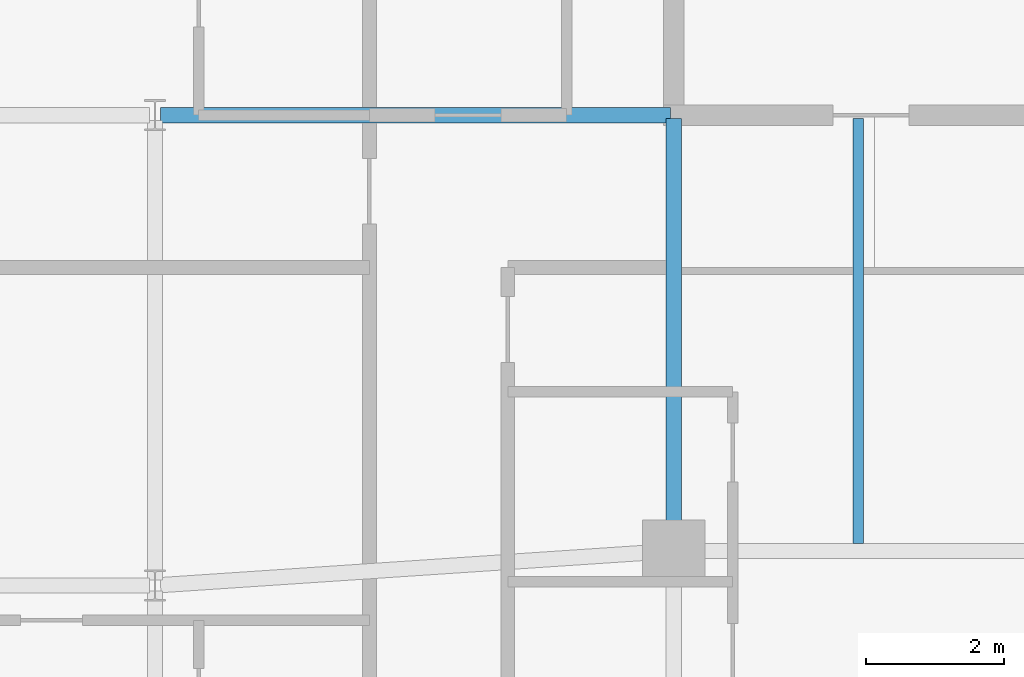
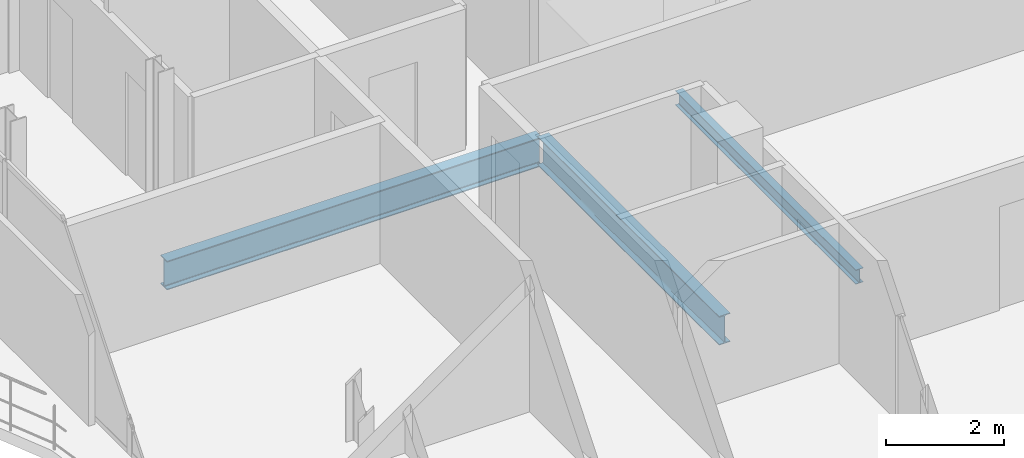
# One storey, part 11 of 22: 3 beams.
"""IFC4 building model written with IfcOpenShell, lengths in metres."""

from ifc_helpers import new_model, si_unit, direction, frame, origin, origin_2d, place, context, subcontext, project, spatial, i_section, extrude, material, material_profile, profile_set, type_object, element, save


model = new_model("IFC4")

# Units and contexts
model_context = context("Model", 3, precision=1e-05, world=origin(), true_north=direction((0.0, 1.0)))
body_context = subcontext(model_context, "Body", "Model", "MODEL_VIEW")
ifc_project = project(units=[si_unit("LENGTHUNIT", "METRE"), si_unit("AREAUNIT", "SQUARE_METRE"), si_unit("VOLUMEUNIT", "CUBIC_METRE"), si_unit("PLANEANGLEUNIT", "RADIAN"), si_unit("MASSUNIT", "GRAM", prefix="KILO")], contexts=[model_context])

# Site, building, storey
site_placement = place(None, origin())
site = spatial("IfcSite", under=ifc_project, at=site_placement, CompositionType="ELEMENT")
building_placement = place(site_placement, origin())
building = spatial("IfcBuilding", under=site, at=building_placement, Name="Catumbela Crestline Tower", CompositionType="ELEMENT")
storey_placement = place(building_placement, frame((0.0, 0.0, 222.2)))
storey = spatial("IfcBuildingStorey", under=building, at=storey_placement, Name="L57", CompositionType="ELEMENT", Elevation=222.2)

# Beams
ifc_material = material(Name="Structural steel S355J2", Category="steel")
ifc_material_profile_1 = material_profile(ifc_material, i_section(OverallWidth=0.22, OverallDepth=0.6, WebThickness=0.012, FlangeThickness=0.019, FilletRadius=0.024, at=origin_2d()), Name="IPE 600")
ifc_profile_set_1 = profile_set([ifc_material_profile_1], Name="Structural steel S355J2")
beam_type_1 = type_object("IfcBeamType", Name="BG-IPE600", PredefinedType="BEAM", material=ifc_profile_set_1)
beam_1_placement = place(storey_placement, frame((8.58, 30.8, -0.56), z_axis=(1.0, 0.0, 0.0), x_axis=(0.0, 1.0, 0.0)))
element("IfcBeam", 1, at=beam_1_placement, inside=storey, type_object=beam_type_1, Name="L57 Beam BM-L57-M07", PredefinedType="BEAM", context=body_context, shape_type="SweptSolid", body=[
    extrude(i_section(OverallWidth=0.22, OverallDepth=0.6, WebThickness=0.012, FlangeThickness=0.019, FilletRadius=0.024, at=origin_2d()), origin(), (0.0, 0.0, 1.0), 7.37),
])
beam_2_placement = place(storey_placement, frame((16.0, 24.58, -0.56), z_axis=(0.0, 1.0, 0.0), x_axis=(-1.0, 0.0, 0.0)))
element("IfcBeam", 2, at=beam_2_placement, inside=storey, type_object=beam_type_1, Name="L57 Beam BM-L57-SNS15", PredefinedType="BEAM", context=body_context, shape_type="SweptSolid", body=[
    extrude(i_section(OverallWidth=0.22, OverallDepth=0.6, WebThickness=0.012, FlangeThickness=0.019, FilletRadius=0.024, at=origin_2d()), origin(), (0.0, 0.0, 1.0), 6.17),
])
ifc_material_profile_2 = material_profile(ifc_material, i_section(OverallWidth=0.15, OverallDepth=0.3, WebThickness=0.0071, FlangeThickness=0.0107, FilletRadius=0.015, at=origin_2d()), Name="IPE 300")
ifc_profile_set_2 = profile_set([ifc_material_profile_2], Name="Structural steel S355J2")
beam_type_2 = type_object("IfcBeamType", Name="BJ-IPE300", PredefinedType="JOIST", material=ifc_profile_set_2)
beam_3_placement = place(storey_placement, frame((18.667, 24.61, -0.41), z_axis=(0.0, 1.0, 0.0), x_axis=(-1.0, 0.0, 0.0)))
element("IfcBeam", 3, at=beam_3_placement, inside=storey, type_object=beam_type_2, Name="L57 Joist JS-L57-SP21", PredefinedType="JOIST", context=body_context, shape_type="SweptSolid", body=[
    extrude(i_section(OverallWidth=0.15, OverallDepth=0.3, WebThickness=0.0071, FlangeThickness=0.0107, FilletRadius=0.015, at=origin_2d()), origin(), (0.0, 0.0, 1.0), 6.14),
])

save(model, "model.ifc")
